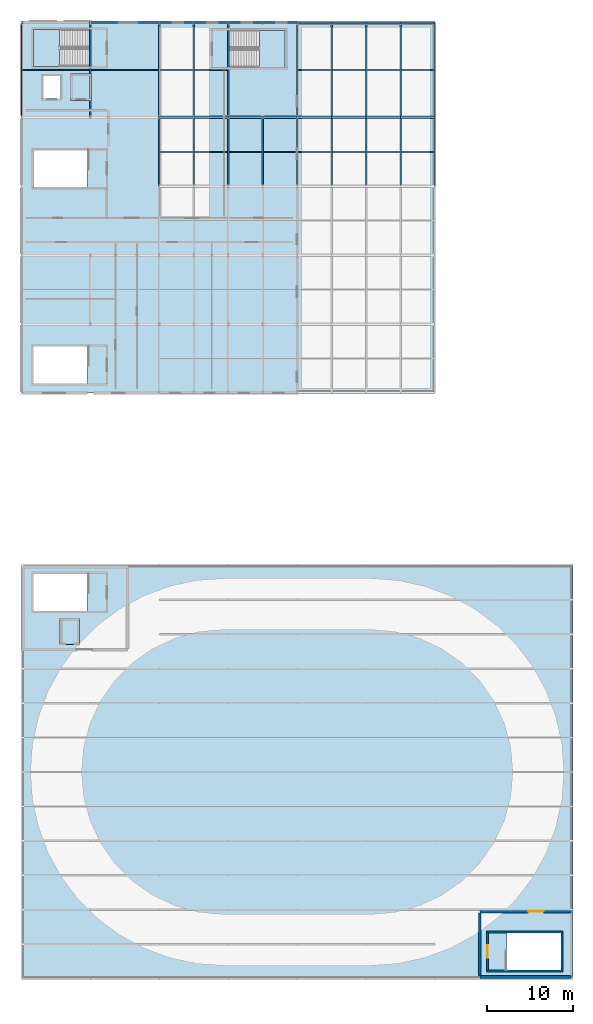
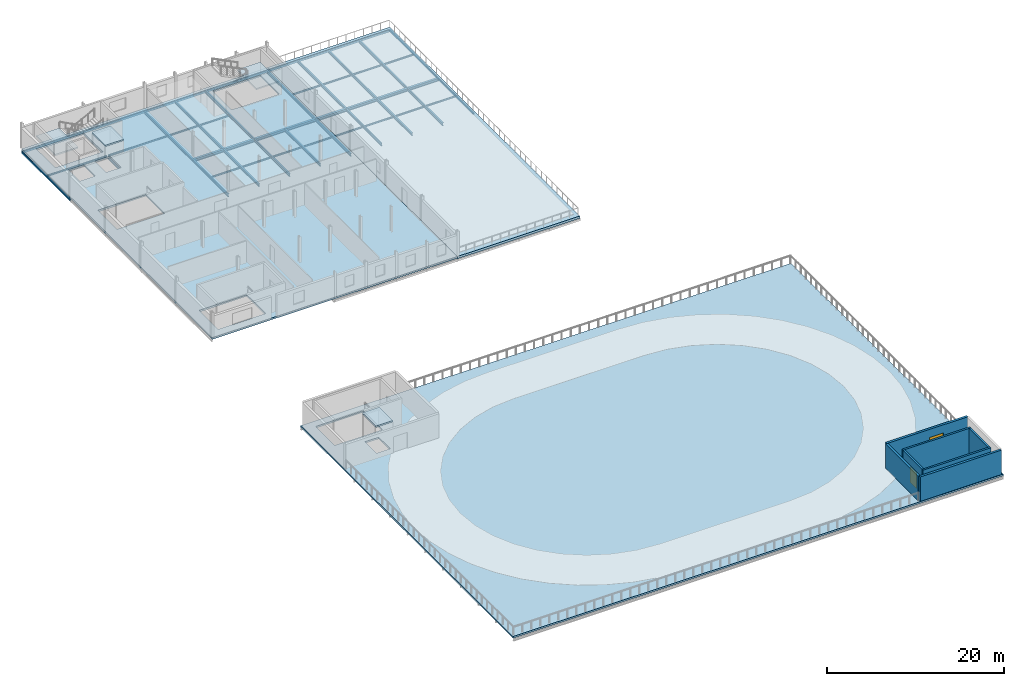
# One storey, part 4 of 11: 53 beams, 7 slabs, 7 walls, 2 doors, 2 openings, 2 elements without a shape of their own.
"""IFC4 building model written with IfcOpenShell, lengths in metres."""

from ifc_helpers import new_model, si_unit, derived_unit, direction, frame, frame_2d, origin, origin_2d, place, context, subcontext, project, spatial, polyline, rectangle, hollow_rectangle, i_section, outline, extrude, material, layer, layer_set, material_profile, profile_set, type_object, element, fill, aggregate, save


model = new_model("IFC4")

# Units and contexts
model_context = context("Model", 3, precision=1e-05, world=origin(), true_north=direction((0.0, 1.0)))
body_context = subcontext(model_context, "Body", "Model", "MODEL_VIEW")
ifc_project = project(units=[si_unit("LENGTHUNIT", "METRE"), si_unit("AREAUNIT", "SQUARE_METRE"), si_unit("VOLUMEUNIT", "CUBIC_METRE"), si_unit("PLANEANGLEUNIT", "RADIAN"), si_unit("MASSUNIT", "GRAM", prefix="KILO"), derived_unit("THERMALTRANSMITTANCEUNIT", [(si_unit("POWERUNIT", "WATT"), 1), (si_unit("LENGTHUNIT", "METRE"), -2), (si_unit("THERMODYNAMICTEMPERATUREUNIT", "KELVIN"), -1)])], contexts=[model_context])

# Site, building, storey
site_placement = place(None, origin())
site = spatial("IfcSite", under=ifc_project, at=site_placement, CompositionType="ELEMENT")
building_placement = place(site_placement, origin())
building = spatial("IfcBuilding", under=site, at=building_placement, Name="Keldorne Ridge Multi-Sports Centre", CompositionType="ELEMENT")
storey_placement = place(building_placement, frame((0.0, 0.0, 18.60009765625)))
storey = spatial("IfcBuildingStorey", under=building, at=storey_placement, Name="L04", CompositionType="ELEMENT", Elevation=18.60009765625)

# Beams
ifc_material_1 = material(Name="Steel S355", Category="steel")
ifc_material_profile_1 = material_profile(ifc_material_1, i_section(OverallWidth=0.179931640625, OverallDepth=0.39990234375, WebThickness=0.008544921875, FlangeThickness=0.013427734375, FilletRadius=0.02099609375, at=origin_2d()), Name="IPE 400")
ifc_profile_set_1 = profile_set([ifc_material_profile_1], Name="Steel S355")
beam_type_1 = type_object("IfcBeamType", Name="BM-B-04", PredefinedType="BEAM", material=ifc_profile_set_1)
beam_1_placement = place(storey_placement, frame((112.0, 106.0, -0.52001953125), z_axis=(0.0, 1.0, 0.0), x_axis=(-1.0, 0.0, 0.0)))
element("IfcBeam", 1, at=beam_1_placement, inside=storey, type_object=beam_type_1, Name="L04 primary girder 112.5", PredefinedType="BEAM", context=body_context, shape_type="SweptSolid", body=[
    extrude(i_section(OverallWidth=0.179931640625, OverallDepth=0.39990234375, WebThickness=0.008544921875, FlangeThickness=0.013427734375, FilletRadius=0.02099609375, at=origin_2d()), origin(), (0.0, 0.0, 1.0), 11.0),
])
beam_2_placement = place(storey_placement, frame((120.0, 98.0, -0.52001953125), z_axis=(0.0, 1.0, 0.0), x_axis=(-1.0, 0.0, 0.0)))
element("IfcBeam", 2, at=beam_2_placement, inside=storey, type_object=beam_type_1, Name="L04 primary girder 120.4", PredefinedType="BEAM", context=body_context, shape_type="SweptSolid", body=[
    extrude(i_section(OverallWidth=0.179931640625, OverallDepth=0.39990234375, WebThickness=0.008544921875, FlangeThickness=0.013427734375, FilletRadius=0.02099609375, at=origin_2d()), origin(), (0.0, 0.0, 1.0), 8.0),
])
beam_3_placement = place(storey_placement, frame((120.0, 106.0, -0.52001953125), z_axis=(0.0, 1.0, 0.0), x_axis=(-1.0, 0.0, 0.0)))
element("IfcBeam", 3, at=beam_3_placement, inside=storey, type_object=beam_type_1, Name="L04 primary girder 120.5", PredefinedType="BEAM", context=body_context, shape_type="SweptSolid", body=[
    extrude(i_section(OverallWidth=0.179931640625, OverallDepth=0.39990234375, WebThickness=0.008544921875, FlangeThickness=0.013427734375, FilletRadius=0.02099609375, at=origin_2d()), origin(), (0.0, 0.0, 1.0), 11.0),
])
beam_4_placement = place(storey_placement, frame((124.0, 98.0, -0.52001953125), z_axis=(0.0, 1.0, 0.0), x_axis=(-1.0, 0.0, 0.0)))
element("IfcBeam", 4, at=beam_4_placement, inside=storey, type_object=beam_type_1, Name="L04 primary girder 124.4", PredefinedType="BEAM", context=body_context, shape_type="SweptSolid", body=[
    extrude(i_section(OverallWidth=0.179931640625, OverallDepth=0.39990234375, WebThickness=0.008544921875, FlangeThickness=0.013427734375, FilletRadius=0.02099609375, at=origin_2d()), origin(), (0.0, 0.0, 1.0), 8.0),
])
beam_5_placement = place(storey_placement, frame((124.0, 106.0, -0.52001953125), z_axis=(0.0, 1.0, 0.0), x_axis=(-1.0, 0.0, 0.0)))
element("IfcBeam", 5, at=beam_5_placement, inside=storey, type_object=beam_type_1, Name="L04 primary girder 124.5", PredefinedType="BEAM", context=body_context, shape_type="SweptSolid", body=[
    extrude(i_section(OverallWidth=0.179931640625, OverallDepth=0.39990234375, WebThickness=0.008544921875, FlangeThickness=0.013427734375, FilletRadius=0.02099609375, at=origin_2d()), origin(), (0.0, 0.0, 1.0), 11.0),
])
beam_6_placement = place(storey_placement, frame((128.0, 98.0, -0.52001953125), z_axis=(0.0, 1.0, 0.0), x_axis=(-1.0, 0.0, 0.0)))
element("IfcBeam", 6, at=beam_6_placement, inside=storey, type_object=beam_type_1, Name="L04 primary girder 128.4", PredefinedType="BEAM", context=body_context, shape_type="SweptSolid", body=[
    extrude(i_section(OverallWidth=0.179931640625, OverallDepth=0.39990234375, WebThickness=0.008544921875, FlangeThickness=0.013427734375, FilletRadius=0.02099609375, at=origin_2d()), origin(), (0.0, 0.0, 1.0), 8.0),
])
beam_7_placement = place(storey_placement, frame((128.0, 106.0, -0.52001953125), z_axis=(0.0, 1.0, 0.0), x_axis=(-1.0, 0.0, 0.0)))
element("IfcBeam", 7, at=beam_7_placement, inside=storey, type_object=beam_type_1, Name="L04 primary girder 128.5", PredefinedType="BEAM", context=body_context, shape_type="SweptSolid", body=[
    extrude(i_section(OverallWidth=0.179931640625, OverallDepth=0.39990234375, WebThickness=0.008544921875, FlangeThickness=0.013427734375, FilletRadius=0.02099609375, at=origin_2d()), origin(), (0.0, 0.0, 1.0), 11.0),
])
for number, where, z_axis, x_axis, name in (
    (8, (132.0, 98.0, -0.52001953125), (0.0, 1.0, 0.0), (-1.0, 0.0, 0.0), "L04 primary girder 132.4"),
    (9, (136.0, 98.0, -0.52001953125), (0.0, 1.0, 0.0), (-1.0, 0.0, 0.0), "L04 primary girder 136.4"),
):
    element("IfcBeam", number, at=place(storey_placement, frame(where, z_axis=z_axis, x_axis=x_axis)), inside=storey, type_object=beam_type_1, Name=name, PredefinedType="BEAM", context=body_context, shape_type="SweptSolid", body=[
        extrude(i_section(OverallWidth=0.179931640625, OverallDepth=0.39990234375, WebThickness=0.008544921875, FlangeThickness=0.013427734375, FilletRadius=0.02099609375, at=origin_2d()), origin(), (0.0, 0.0, 1.0), 8.0),
    ])
beam_8_placement = place(storey_placement, frame((136.0, 106.0, -0.52001953125), z_axis=(0.0, 1.0, 0.0), x_axis=(-1.0, 0.0, 0.0)))
element("IfcBeam", 10, at=beam_8_placement, inside=storey, type_object=beam_type_1, Name="L04 primary girder 136.5", PredefinedType="BEAM", context=body_context, shape_type="SweptSolid", body=[
    extrude(i_section(OverallWidth=0.179931640625, OverallDepth=0.39990234375, WebThickness=0.008544921875, FlangeThickness=0.013427734375, FilletRadius=0.02099609375, at=origin_2d()), origin(), (0.0, 0.0, 1.0), 11.0),
])
beam_9_placement = place(storey_placement, frame((140.0, 98.0, -0.52001953125), z_axis=(0.0, 1.0, 0.0), x_axis=(-1.0, 0.0, 0.0)))
element("IfcBeam", 11, at=beam_9_placement, inside=storey, type_object=beam_type_1, Name="L04 primary girder 140.4", PredefinedType="BEAM", context=body_context, shape_type="SweptSolid", body=[
    extrude(i_section(OverallWidth=0.179931640625, OverallDepth=0.39990234375, WebThickness=0.008544921875, FlangeThickness=0.013427734375, FilletRadius=0.02099609375, at=origin_2d()), origin(), (0.0, 0.0, 1.0), 8.0),
])
beam_10_placement = place(storey_placement, frame((140.0, 106.0, -0.52001953125), z_axis=(0.0, 1.0, 0.0), x_axis=(-1.0, 0.0, 0.0)))
element("IfcBeam", 12, at=beam_10_placement, inside=storey, type_object=beam_type_1, Name="L04 primary girder 140.5", PredefinedType="BEAM", context=body_context, shape_type="SweptSolid", body=[
    extrude(i_section(OverallWidth=0.179931640625, OverallDepth=0.39990234375, WebThickness=0.008544921875, FlangeThickness=0.013427734375, FilletRadius=0.02099609375, at=origin_2d()), origin(), (0.0, 0.0, 1.0), 11.0),
])
beam_11_placement = place(storey_placement, frame((144.0, 98.0, -0.52001953125), z_axis=(0.0, 1.0, 0.0), x_axis=(-1.0, 0.0, 0.0)))
element("IfcBeam", 13, at=beam_11_placement, inside=storey, type_object=beam_type_1, Name="L04 primary girder 144.4", PredefinedType="BEAM", context=body_context, shape_type="SweptSolid", body=[
    extrude(i_section(OverallWidth=0.179931640625, OverallDepth=0.39990234375, WebThickness=0.008544921875, FlangeThickness=0.013427734375, FilletRadius=0.02099609375, at=origin_2d()), origin(), (0.0, 0.0, 1.0), 8.0),
])
beam_12_placement = place(storey_placement, frame((144.0, 106.0, -0.52001953125), z_axis=(0.0, 1.0, 0.0), x_axis=(-1.0, 0.0, 0.0)))
element("IfcBeam", 14, at=beam_12_placement, inside=storey, type_object=beam_type_1, Name="L04 primary girder 144.5", PredefinedType="BEAM", context=body_context, shape_type="SweptSolid", body=[
    extrude(i_section(OverallWidth=0.179931640625, OverallDepth=0.39990234375, WebThickness=0.008544921875, FlangeThickness=0.013427734375, FilletRadius=0.02099609375, at=origin_2d()), origin(), (0.0, 0.0, 1.0), 11.0),
])
beam_13_placement = place(storey_placement, frame((148.0, 98.0, -0.52001953125), z_axis=(0.0, 1.0, 0.0), x_axis=(-1.0, 0.0, 0.0)))
element("IfcBeam", 15, at=beam_13_placement, inside=storey, type_object=beam_type_1, Name="L04 primary girder 148.4", PredefinedType="BEAM", context=body_context, shape_type="SweptSolid", body=[
    extrude(i_section(OverallWidth=0.179931640625, OverallDepth=0.39990234375, WebThickness=0.008544921875, FlangeThickness=0.013427734375, FilletRadius=0.02099609375, at=origin_2d()), origin(), (0.0, 0.0, 1.0), 8.0),
])
beam_14_placement = place(storey_placement, frame((148.0, 106.0, -0.52001953125), z_axis=(0.0, 1.0, 0.0), x_axis=(-1.0, 0.0, 0.0)))
element("IfcBeam", 16, at=beam_14_placement, inside=storey, type_object=beam_type_1, Name="L04 primary girder 148.5", PredefinedType="BEAM", context=body_context, shape_type="SweptSolid", body=[
    extrude(i_section(OverallWidth=0.179931640625, OverallDepth=0.39990234375, WebThickness=0.008544921875, FlangeThickness=0.013427734375, FilletRadius=0.02099609375, at=origin_2d()), origin(), (0.0, 0.0, 1.0), 11.0),
])
ifc_material_profile_2 = material_profile(ifc_material_1, i_section(OverallWidth=0.300048828125, OverallDepth=0.389892578125, WebThickness=0.010986328125, FlangeThickness=0.01904296875, FilletRadius=0.027099609375, at=origin_2d()), Name="HEA 400")
ifc_profile_set_2 = profile_set([ifc_material_profile_2], Name="Steel S355")
beam_type_2 = type_object("IfcBeamType", Name="BM-B-10", PredefinedType="BEAM", material=ifc_profile_set_2)
for number, where, z_axis, x_axis, name in (
    (17, (120.0, 106.0, -0.51513671875), (1.0, 0.0, 0.0), (0.0, 1.0, 0.0), "L04 primary beam 3.106"),
    (18, (124.0, 106.0, -0.51513671875), (1.0, 0.0, 0.0), (0.0, 1.0, 0.0), "L04 primary beam 4.106"),
    (19, (128.0, 106.0, -0.51513671875), (1.0, 0.0, 0.0), (0.0, 1.0, 0.0), "L04 primary beam 5.106"),
    (20, (132.0, 106.0, -0.51513671875), (1.0, 0.0, 0.0), (0.0, 1.0, 0.0), "L04 primary beam 6.106"),
    (21, (136.0, 106.0, -0.51513671875), (1.0, 0.0, 0.0), (0.0, 1.0, 0.0), "L04 primary beam 7.106"),
    (22, (140.0, 106.0, -0.51513671875), (1.0, 0.0, 0.0), (0.0, 1.0, 0.0), "L04 primary beam 8.106"),
    (23, (144.0, 106.0, -0.51513671875), (1.0, 0.0, 0.0), (0.0, 1.0, 0.0), "L04 primary beam 9.106"),
    (24, (148.0, 106.0, -0.51513671875), (1.0, 0.0, 0.0), (0.0, 1.0, 0.0), "L04 primary beam 10.106"),
):
    element("IfcBeam", number, at=place(storey_placement, frame(where, z_axis=z_axis, x_axis=x_axis)), inside=storey, type_object=beam_type_2, Name=name, PredefinedType="BEAM", context=body_context, shape_type="SweptSolid", body=[
        extrude(i_section(OverallWidth=0.300048828125, OverallDepth=0.389892578125, WebThickness=0.010986328125, FlangeThickness=0.01904296875, FilletRadius=0.027099609375, at=origin_2d()), origin(), (0.0, 0.0, 1.0), 4.0),
    ])
ifc_material_profile_3 = material_profile(ifc_material_1, i_section(OverallWidth=0.1201171875, OverallDepth=0.239990234375, WebThickness=0.006103515625, FlangeThickness=0.009765625, FilletRadius=0.014892578125, at=origin_2d()), Name="IPE 240")
ifc_profile_set_3 = profile_set([ifc_material_profile_3], Name="Steel S355")
beam_type_3 = type_object("IfcBeamType", Name="BM-J-04", PredefinedType="JOIST", material=ifc_profile_set_3)
beam_15_placement = place(storey_placement, frame((104.074951171875, 111.5, -0.440185546875), z_axis=(1.0, 0.0, 0.0), x_axis=(0.0, 1.0, 0.0)))
element("IfcBeam", 25, at=beam_15_placement, inside=storey, type_object=beam_type_3, Name="L04 secondary joist 1.5", PredefinedType="JOIST", context=body_context, shape_type="SweptSolid", body=[
    extrude(i_section(OverallWidth=0.1201171875, OverallDepth=0.239990234375, WebThickness=0.006103515625, FlangeThickness=0.009765625, FilletRadius=0.014892578125, at=origin_2d()), origin(), (0.0, 0.0, 1.0), 7.8349609375),
])
beam_16_placement = place(storey_placement, frame((112.090087890625, 111.5, -0.440185546875), z_axis=(1.0, 0.0, 0.0), x_axis=(0.0, 1.0, 0.0)))
element("IfcBeam", 26, at=beam_16_placement, inside=storey, type_object=beam_type_3, Name="L04 secondary joist 2.5", PredefinedType="JOIST", context=body_context, shape_type="SweptSolid", body=[
    extrude(i_section(OverallWidth=0.1201171875, OverallDepth=0.239990234375, WebThickness=0.006103515625, FlangeThickness=0.009765625, FilletRadius=0.014892578125, at=origin_2d()), origin(), (0.0, 0.0, 1.0), 7.81982421875),
])
for number, where, z_axis, x_axis, name in (
    (27, (120.090087890625, 102.0, -0.440185546875), (1.0, 0.0, 0.0), (0.0, 1.0, 0.0), "L04 secondary joist 3.4"),
    (28, (120.090087890625, 111.5, -0.440185546875), (1.0, 0.0, 0.0), (0.0, 1.0, 0.0), "L04 secondary joist 3.5"),
    (29, (124.090087890625, 102.0, -0.440185546875), (1.0, 0.0, 0.0), (0.0, 1.0, 0.0), "L04 secondary joist 4.4"),
    (30, (124.090087890625, 111.5, -0.440185546875), (1.0, 0.0, 0.0), (0.0, 1.0, 0.0), "L04 secondary joist 4.5"),
    (31, (128.090087890625, 102.0, -0.440185546875), (1.0, 0.0, 0.0), (0.0, 1.0, 0.0), "L04 secondary joist 5.4"),
    (32, (132.090087890625, 102.0, -0.440185546875), (1.0, 0.0, 0.0), (0.0, 1.0, 0.0), "L04 secondary joist 6.4"),
    (33, (136.090087890625, 102.0, -0.440185546875), (1.0, 0.0, 0.0), (0.0, 1.0, 0.0), "L04 secondary joist 7.4"),
    (34, (136.090087890625, 111.5, -0.440185546875), (1.0, 0.0, 0.0), (0.0, 1.0, 0.0), "L04 secondary joist 7.5"),
    (35, (140.090087890625, 102.0, -0.440185546875), (1.0, 0.0, 0.0), (0.0, 1.0, 0.0), "L04 secondary joist 8.4"),
    (36, (140.090087890625, 111.5, -0.440185546875), (1.0, 0.0, 0.0), (0.0, 1.0, 0.0), "L04 secondary joist 8.5"),
    (37, (144.090087890625, 102.0, -0.440185546875), (1.0, 0.0, 0.0), (0.0, 1.0, 0.0), "L04 secondary joist 9.4"),
    (38, (144.090087890625, 111.5, -0.440185546875), (1.0, 0.0, 0.0), (0.0, 1.0, 0.0), "L04 secondary joist 9.5"),
):
    element("IfcBeam", number, at=place(storey_placement, frame(where, z_axis=z_axis, x_axis=x_axis)), inside=storey, type_object=beam_type_3, Name=name, PredefinedType="JOIST", context=body_context, shape_type="SweptSolid", body=[
        extrude(i_section(OverallWidth=0.1201171875, OverallDepth=0.239990234375, WebThickness=0.006103515625, FlangeThickness=0.009765625, FilletRadius=0.014892578125, at=origin_2d()), origin(), (0.0, 0.0, 1.0), 3.81982421875),
    ])
for number, where, z_axis, x_axis, name in (
    (39, (148.090087890625, 102.0, -0.440185546875), (1.0, 0.0, 0.0), (0.0, 1.0, 0.0), "L04 secondary joist 10.4"),
    (40, (148.090087890625, 111.5, -0.440185546875), (1.0, 0.0, 0.0), (0.0, 1.0, 0.0), "L04 secondary joist 10.5"),
):
    element("IfcBeam", number, at=place(storey_placement, frame(where, z_axis=z_axis, x_axis=x_axis)), inside=storey, type_object=beam_type_3, Name=name, PredefinedType="JOIST", context=body_context, shape_type="SweptSolid", body=[
        extrude(i_section(OverallWidth=0.1201171875, OverallDepth=0.239990234375, WebThickness=0.006103515625, FlangeThickness=0.009765625, FilletRadius=0.014892578125, at=origin_2d()), origin(), (0.0, 0.0, 1.0), 3.8349609375),
    ])
ifc_material_profile_4 = material_profile(ifc_material_1, hollow_rectangle(XDim=0.199951171875, YDim=0.300048828125, WallThickness=0.012451171875, InnerFilletRadius=0.012451171875, OuterFilletRadius=0.02490234375, at=origin_2d()), Name="RHS 300x200x12.5")
ifc_profile_set_4 = profile_set([ifc_material_profile_4], Name="Steel S355")
beam_type_4 = type_object("IfcBeamType", Name="BM-SP-01", PredefinedType="SPANDREL", material=ifc_profile_set_4)
for number, where, z_axis, x_axis, name in (
    (41, (104.0, 117.0, -0.47021484375), (1.0, 0.0, 0.0), (0.0, 1.0, 0.0), "L04 primary beam 1.117"),
    (42, (112.0, 117.0, -0.47021484375), (1.0, 0.0, 0.0), (0.0, 1.0, 0.0), "L04 primary beam 2.117"),
):
    element("IfcBeam", number, at=place(storey_placement, frame(where, z_axis=z_axis, x_axis=x_axis)), inside=storey, type_object=beam_type_4, Name=name, PredefinedType="SPANDREL", context=body_context, shape_type="SweptSolid", body=[
        extrude(hollow_rectangle(XDim=0.199951171875, YDim=0.300048828125, WallThickness=0.012451171875, InnerFilletRadius=0.012451171875, OuterFilletRadius=0.02490234375, at=origin_2d()), origin(), (0.0, 0.0, 1.0), 8.0),
    ])
for number, where, z_axis, x_axis, name in (
    (43, (120.0, 117.0, -0.47021484375), (1.0, 0.0, 0.0), (0.0, 1.0, 0.0), "L04 primary beam 3.117"),
    (44, (124.0, 117.0, -0.47021484375), (1.0, 0.0, 0.0), (0.0, 1.0, 0.0), "L04 primary beam 4.117"),
    (45, (128.0, 117.0, -0.47021484375), (1.0, 0.0, 0.0), (0.0, 1.0, 0.0), "L04 primary beam 5.117"),
    (46, (132.0, 117.0, -0.47021484375), (1.0, 0.0, 0.0), (0.0, 1.0, 0.0), "L04 primary beam 6.117"),
    (47, (136.0, 117.0, -0.47021484375), (1.0, 0.0, 0.0), (0.0, 1.0, 0.0), "L04 primary beam 7.117"),
    (48, (140.0, 117.0, -0.47021484375), (1.0, 0.0, 0.0), (0.0, 1.0, 0.0), "L04 primary beam 8.117"),
    (49, (144.0, 117.0, -0.47021484375), (1.0, 0.0, 0.0), (0.0, 1.0, 0.0), "L04 primary beam 9.117"),
    (50, (148.0, 117.0, -0.47021484375), (1.0, 0.0, 0.0), (0.0, 1.0, 0.0), "L04 primary beam 10.117"),
):
    element("IfcBeam", number, at=place(storey_placement, frame(where, z_axis=z_axis, x_axis=x_axis)), inside=storey, type_object=beam_type_4, Name=name, PredefinedType="SPANDREL", context=body_context, shape_type="SweptSolid", body=[
        extrude(hollow_rectangle(XDim=0.199951171875, YDim=0.300048828125, WallThickness=0.012451171875, InnerFilletRadius=0.012451171875, OuterFilletRadius=0.02490234375, at=origin_2d()), origin(), (0.0, 0.0, 1.0), 4.0),
    ])
ifc_material_profile_5 = material_profile(ifc_material_1, hollow_rectangle(XDim=0.14990234375, YDim=0.25, WallThickness=0.010009765625, InnerFilletRadius=0.010009765625, OuterFilletRadius=0.02001953125, at=origin_2d()), Name="RHS 250x150x10")
ifc_profile_set_5 = profile_set([ifc_material_profile_5], Name="Steel S355")
beam_type_5 = type_object("IfcBeamType", Name="BM-SP-02", PredefinedType="SPANDREL", material=ifc_profile_set_5)
beam_17_placement = place(storey_placement, frame((104.0, 106.0, -0.445068359375), z_axis=(0.0, 1.0, 0.0), x_axis=(-1.0, 0.0, 0.0)))
element("IfcBeam", 51, at=beam_17_placement, inside=storey, type_object=beam_type_5, Name="L04 primary girder 104.5", PredefinedType="SPANDREL", context=body_context, shape_type="SweptSolid", body=[
    extrude(hollow_rectangle(XDim=0.14990234375, YDim=0.25, WallThickness=0.010009765625, InnerFilletRadius=0.010009765625, OuterFilletRadius=0.02001953125, at=origin_2d()), origin(), (0.0, 0.0, 1.0), 11.0),
])
beam_18_placement = place(storey_placement, frame((152.0, 98.0, -0.445068359375), z_axis=(0.0, 1.0, 0.0), x_axis=(-1.0, 0.0, 0.0)))
element("IfcBeam", 52, at=beam_18_placement, inside=storey, type_object=beam_type_5, Name="L04 primary girder 152.4", PredefinedType="SPANDREL", context=body_context, shape_type="SweptSolid", body=[
    extrude(hollow_rectangle(XDim=0.14990234375, YDim=0.25, WallThickness=0.010009765625, InnerFilletRadius=0.010009765625, OuterFilletRadius=0.02001953125, at=origin_2d()), origin(), (0.0, 0.0, 1.0), 8.0),
])
beam_19_placement = place(storey_placement, frame((152.0, 106.0, -0.445068359375), z_axis=(0.0, 1.0, 0.0), x_axis=(-1.0, 0.0, 0.0)))
element("IfcBeam", 53, at=beam_19_placement, inside=storey, type_object=beam_type_5, Name="L04 primary girder 152.5", PredefinedType="SPANDREL", context=body_context, shape_type="SweptSolid", body=[
    extrude(hollow_rectangle(XDim=0.14990234375, YDim=0.25, WallThickness=0.010009765625, InnerFilletRadius=0.010009765625, OuterFilletRadius=0.02001953125, at=origin_2d()), origin(), (0.0, 0.0, 1.0), 11.0),
])

# Stair, slab
ifc_material_2 = material(Name="Concrete C35/45", Category="concrete")
stair_type = type_object("IfcStairType", Name="STR-S01", PredefinedType="HALF_TURN_STAIR", material=ifc_material_2)
stair_1_placement = place(storey_placement, origin())
stair_1 = element("IfcStair", 54, at=stair_1_placement, inside=storey, type_object=stair_type, Name="L04 North-East Primary Clinical Core C1", PredefinedType="HALF_TURN_STAIR")
ifc_layer_1 = layer(ifc_material_2, 0.199951171875)
ifc_layer_set_1 = layer_set([ifc_layer_1], Name="Concrete C35/45")
slab_type_1 = type_object("IfcSlabType", Name="SLB-LDG-01", PredefinedType="LANDING", material=ifc_layer_set_1)
slab_1_placement = place(storey_placement, frame((0.0, 0.0, 1.599853515625)))
slab_1 = element("IfcSlab", 55, at=slab_1_placement, type_object=slab_type_1, Name="ST-01 landing 1", PredefinedType="LANDING", context=body_context, shape_type="SweptSolid", body=[
    extrude(outline(polyline([(108.39990234375, 116.199951171875), (105.39990234375, 116.199951171875), (105.39990234375, 111.89990234375), (108.39990234375, 111.89990234375), (108.39990234375, 116.199951171875)])), origin(), (0.0, 0.0, 1.0), 0.199951171875),
])
aggregate(stair_1, [slab_1])

stair_2_placement = place(storey_placement, origin())
stair_2 = element("IfcStair", 56, at=stair_2_placement, inside=storey, type_object=stair_type, Name="L04 Upper Studio Escape Stair ST-10", PredefinedType="HALF_TURN_STAIR")
slab_2_placement = place(storey_placement, frame((0.0, 0.0, 1.599853515625)))
slab_2 = element("IfcSlab", 57, at=slab_2_placement, type_object=slab_type_1, Name="ST-10 landing 1", PredefinedType="LANDING", context=body_context, shape_type="SweptSolid", body=[
    extrude(outline(polyline([(131.60009765625, 111.800048828125), (134.60009765625, 111.800048828125), (134.60009765625, 116.10009765625), (131.60009765625, 116.10009765625), (131.60009765625, 111.800048828125)])), origin(), (0.0, 0.0, 1.0), 0.199951171875),
])
aggregate(stair_2, [slab_2])

# Slabs
ifc_layer_2 = layer(ifc_material_2, 0.239990234375)
ifc_layer_set_2 = layer_set([ifc_layer_2], Name="Concrete C35/45")
slab_type_2 = type_object("IfcSlabType", Name="SLB-SL-F03", PredefinedType="FLOOR", material=ifc_layer_set_2)
slab_3_placement = place(storey_placement, frame((0.0, 0.0, -0.239990234375)))
element("IfcSlab", 58, at=slab_3_placement, inside=storey, type_object=slab_type_2, Name="Fourth floor Indoor Warm-Up and Spin slab", PredefinedType="FLOOR", context=body_context, shape_type="SweptSolid", body=[
    extrude(outline(polyline([(104.0, 74.0), (136.0, 74.0), (136.0, 117.0), (104.0, 117.0), (104.0, 74.0)]), holes=[polyline([(105.39990234375, 111.89990234375), (105.39990234375, 116.199951171875), (111.6201171875, 116.199951171875), (111.6201171875, 111.89990234375), (105.39990234375, 111.89990234375)]), polyline([(105.39990234375, 75.10009765625), (105.39990234375, 79.39990234375), (111.6201171875, 79.39990234375), (111.6201171875, 75.10009765625), (105.39990234375, 75.10009765625)]), polyline([(128.3798828125, 111.800048828125), (128.3798828125, 116.10009765625), (134.60009765625, 116.10009765625), (134.60009765625, 111.800048828125), (128.3798828125, 111.800048828125)]), polyline([(105.39990234375, 97.89990234375), (105.39990234375, 102.199951171875), (111.6201171875, 102.199951171875), (111.6201171875, 97.89990234375), (105.39990234375, 97.89990234375)]), polyline([(106.5, 108.199951171875), (106.5, 110.800048828125), (108.5, 110.800048828125), (108.5, 108.199951171875), (106.5, 108.199951171875)]), polyline([(109.89990234375, 108.199951171875), (109.89990234375, 110.800048828125), (111.89990234375, 110.800048828125), (111.89990234375, 108.199951171875), (109.89990234375, 108.199951171875)])]), origin(), (0.0, 0.0, 1.0), 0.239990234375),
])
ifc_layer_3 = layer(ifc_material_2, 0.18994140625)
ifc_layer_set_3 = layer_set([ifc_layer_3], Name="Concrete C35/45")
slab_type_3 = type_object("IfcSlabType", Name="SLB-SL-F04", PredefinedType="FLOOR", material=ifc_layer_set_3)
slab_4_placement = place(storey_placement, frame((0.0, 0.0, 3.75)))
element("IfcSlab", 59, at=slab_4_placement, inside=storey, type_object=slab_type_3, Name="Lift L-02 overrun shaft cap", PredefinedType="FLOOR", context=body_context, shape_type="SweptSolid", body=[
    extrude(outline(polyline([(109.679931640625, 107.97998046875), (112.1201171875, 107.97998046875), (112.1201171875, 111.02001953125), (109.679931640625, 111.02001953125), (109.679931640625, 107.97998046875)])), origin(), (0.0, 0.0, 1.0), 0.199951171875),
])
slab_5_placement = place(storey_placement, frame((0.0, 0.0, 3.75)))
element("IfcSlab", 60, at=slab_5_placement, inside=storey, type_object=slab_type_3, Name="Lift L-03 overrun shaft cap", PredefinedType="FLOOR", context=body_context, shape_type="SweptSolid", body=[
    extrude(outline(polyline([(108.47998046875, 44.780029296875), (110.719970703125, 44.780029296875), (110.719970703125, 47.820068359375), (108.47998046875, 47.820068359375), (108.47998046875, 44.780029296875)])), origin(), (0.0, 0.0, 1.0), 0.199951171875),
])
ifc_layer_4 = layer(ifc_material_2, 0.22998046875)
ifc_layer_set_4 = layer_set([ifc_layer_4], Name="Concrete C35/45")
slab_type_4 = type_object("IfcSlabType", Name="SLB-SL-R01", PredefinedType="ROOF", material=ifc_layer_set_4)
slab_6_placement = place(storey_placement, frame((0.0, 0.0, -0.22998046875)))
element("IfcSlab", 61, at=slab_6_placement, inside=storey, type_object=slab_type_4, Name="Fourth floor Stacked Courts track roof deck", PredefinedType="ROOF", context=body_context, shape_type="SweptSolid", body=[
    extrude(outline(polyline([(104.0, 6.0), (168.0, 6.0), (168.0, 54.0), (104.0, 54.0), (104.0, 6.0)]), holes=[polyline([(105.39990234375, 48.699951171875), (105.39990234375, 53.0), (111.6201171875, 53.0), (111.6201171875, 48.699951171875), (105.39990234375, 48.699951171875)]), polyline([(160.3798828125, 7.0), (160.3798828125, 11.300048828125), (166.60009765625, 11.300048828125), (166.60009765625, 7.0), (160.3798828125, 7.0)]), polyline([(108.699951171875, 45.0), (108.699951171875, 47.60009765625), (110.5, 47.60009765625), (110.5, 45.0), (108.699951171875, 45.0)])]), origin(), (0.0, 0.0, 1.0), 0.22998046875),
])
ifc_layer_5 = layer(ifc_material_2, 0.320068359375)
ifc_layer_set_5 = layer_set([ifc_layer_5], Name="Concrete C35/45")
slab_type_5 = type_object("IfcSlabType", Name="SLB-SL-T03", PredefinedType="FLOOR", material=ifc_layer_set_5)
slab_7_placement = place(storey_placement, frame((0.0, 0.0, -0.320068359375)))
element("IfcSlab", 62, at=slab_7_placement, inside=storey, type_object=slab_type_5, Name="Fourth floor Stepped East Roof Garden slab", PredefinedType="FLOOR", context=body_context, shape_type="SweptSolid", body=[
    extrude(outline(polyline([(136.0, 74.0), (152.0, 74.0), (152.0, 117.0), (136.0, 117.0), (136.0, 74.0)])), origin(), (0.0, 0.0, 1.0), 0.320068359375),
])

# Wall
ifc_material_3 = material(Name="Precast concrete C40/50", Category="concrete")
ifc_layer_6 = layer(ifc_material_3, 0.300048828125)
ifc_layer_set_6 = layer_set([ifc_layer_6], Name="Precast concrete C40/50")
wall_type_1 = type_object("IfcWallType", Name="WAL-PR-W4", PredefinedType="STANDARD", material=ifc_layer_set_6)
wall_1_placement = place(storey_placement, frame((157.199951171875, 6.199951171875, 0.0), z_axis=(0.0, 0.0, 1.0), x_axis=(1.0, 0.0, 0.0)))
element("IfcWall", 63, at=wall_1_placement, inside=storey, type_object=wall_type_1, Name="Track headhouse C5 south wall", PredefinedType="STANDARD", context=body_context, shape_type="SweptSolid", body=[
    extrude(rectangle(XDim=10.60009765625, YDim=0.300048828125, at=frame_2d((5.300048828125, 0.0))), origin(), (0.0, 0.0, 1.0), 3.35986328125),
])

# Wall, opening, door
wall_2_placement = place(storey_placement, frame((167.800048828125, 13.800048828125, 0.0), z_axis=(0.0, 0.0, 1.0), x_axis=(-1.0, 0.0, 0.0)))
wall_2 = element("IfcWall", 64, at=wall_2_placement, inside=storey, type_object=wall_type_1, Name="Track headhouse C5 north wall", PredefinedType="STANDARD", context=body_context, shape_type="SweptSolid", body=[
    extrude(rectangle(XDim=10.60009765625, YDim=0.300048828125, at=frame_2d((5.300048828125, 0.0))), origin(), (0.0, 0.0, 1.0), 3.35986328125),
])
opening_1_placement = place(wall_2_placement, frame((3.199951171875, 0.0, 0.0)))
opening_1 = element("IfcOpeningElement", 65, at=opening_1_placement, cuts=wall_2, Name="Opening ED-05", PredefinedType="OPENING", context=body_context, shape_type="SweptSolid", body=[
    extrude(rectangle(XDim=1.800048828125, YDim=2.25, at=frame_2d((0.89990234375, 1.125))), frame((0.0, 0.16015625, 0.0), z_axis=(0.0, -1.0, 0.0), x_axis=(1.0, 0.0, 0.0)), (0.0, 0.0, 1.0), 0.320068359375),
])
ifc_material_4 = material(Name="Galvanized steel", Category="steel")
door_type_1 = type_object("IfcDoorType", Name="DR-ED-05", OperationType="NOTDEFINED", PredefinedType="DOOR", material=ifc_material_4)
door_1_placement = place(opening_1_placement, origin())
door_1 = element("IfcDoor", 66, at=door_1_placement, inside=storey, type_object=door_type_1, Name="Rooftop Running Track access door C5", OperationType="DOUBLE_DOOR_SINGLE_SWING", OverallHeight=2.25, OverallWidth=1.800048828125, PredefinedType="DOOR", context=body_context, shape_type="SweptSolid", body=[
    extrude(rectangle(XDim=1.800048828125, YDim=2.25, at=frame_2d((0.89990234375, 1.125))), frame((0.0, 0.02490234375, 0.0), z_axis=(0.0, -1.0, 0.0), x_axis=(1.0, 0.0, 0.0)), (0.0, 0.0, 1.0), 0.050048828125),
])
fill(opening_1, door_1)

# Wall
wall_3_placement = place(storey_placement, frame((157.199951171875, 13.64794921875, 0.0), z_axis=(0.0, 0.0, 1.0), x_axis=(0.0, -1.0, 0.0)))
element("IfcWall", 67, at=wall_3_placement, inside=storey, type_object=wall_type_1, Name="Track headhouse C5 west wall", PredefinedType="STANDARD", context=body_context, shape_type="SweptSolid", body=[
    extrude(rectangle(XDim=7.2958984375, YDim=0.300048828125, at=frame_2d((3.64794921875, 0.0))), origin(), (0.0, 0.0, 1.0), 3.35986328125),
])

# Wall, opening, door
ifc_material_5 = material(Name="Concrete C40/50", Category="concrete")
ifc_layer_7 = layer(ifc_material_5, 0.25)
ifc_layer_set_7 = layer_set([ifc_layer_7], Name="Concrete C40/50")
wall_type_2 = type_object("IfcWallType", Name="WAL-SW01", PredefinedType="SHEAR", material=ifc_layer_set_7)
wall_4_placement = place(storey_placement, frame((158.074951171875, 7.0, 0.0), z_axis=(0.0, 0.0, 1.0), x_axis=(0.0, 1.0, 0.0)))
wall_4 = element("IfcWall", 68, at=wall_4_placement, inside=storey, type_object=wall_type_2, Name="Stair ST-05 shaft wall L04 NEAR", PredefinedType="SHEAR", context=body_context, shape_type="SweptSolid", body=[
    extrude(rectangle(XDim=4.300048828125, YDim=0.25, at=frame_2d((2.14990234375, 0.0))), origin(), (0.0, 0.0, 1.0), 3.599853515625),
])
opening_2_placement = place(wall_4_placement, frame((1.425048828125, 0.0, 0.0)))
opening_2 = element("IfcOpeningElement", 69, at=opening_2_placement, cuts=wall_4, Name="Opening D-05", PredefinedType="OPENING", context=body_context, shape_type="SweptSolid", body=[
    extrude(rectangle(XDim=1.449951171875, YDim=2.199951171875, at=frame_2d((0.72509765625, 1.10009765625))), frame((0.0, 0.135009765625, 0.0), z_axis=(0.0, -1.0, 0.0), x_axis=(1.0, 0.0, 0.0)), (0.0, 0.0, 1.0), 0.27001953125),
])
ifc_material_6 = material(Name="Steel fire-resisting pair", Category="steel")
door_type_2 = type_object("IfcDoorType", Name="DR-D-05", OperationType="NOTDEFINED", PredefinedType="DOOR", material=ifc_material_6)
door_2_placement = place(opening_2_placement, origin())
door_2 = element("IfcDoor", 70, at=door_2_placement, inside=storey, type_object=door_type_2, Name="Stair ST-05 L04 fire door D-028", OperationType="DOUBLE_DOOR_SINGLE_SWING", OverallHeight=2.199951171875, OverallWidth=1.449951171875, PredefinedType="DOOR", context=body_context, shape_type="SweptSolid", body=[
    extrude(rectangle(XDim=1.449951171875, YDim=2.199951171875, at=frame_2d((0.72509765625, 1.10009765625))), frame((0.0, 0.02490234375, 0.0), z_axis=(0.0, -1.0, 0.0), x_axis=(1.0, 0.0, 0.0)), (0.0, 0.0, 1.0), 0.050048828125),
])
fill(opening_2, door_2)

# Walls
wall_5_placement = place(storey_placement, frame((166.72509765625, 11.300048828125, 0.0), z_axis=(0.0, 0.0, 1.0), x_axis=(0.0, -1.0, 0.0)))
element("IfcWall", 71, at=wall_5_placement, inside=storey, type_object=wall_type_2, Name="Stair ST-05 shaft wall L04 FAR", PredefinedType="SHEAR", context=body_context, shape_type="SweptSolid", body=[
    extrude(rectangle(XDim=4.300048828125, YDim=0.25, at=frame_2d((2.14990234375, 0.0))), origin(), (0.0, 0.0, 1.0), 3.599853515625),
])
for number, where, z_axis, x_axis, name in (
    (72, (157.949951171875, 6.875, 0.0), (0.0, 0.0, 1.0), (1.0, 0.0, 0.0), "Stair ST-05 shaft wall L04 SOUTH"),
    (73, (166.85009765625, 11.425048828125, 0.0), (0.0, 0.0, 1.0), (-1.0, 0.0, 0.0), "Stair ST-05 shaft wall L04 NORTH"),
):
    element("IfcWall", number, at=place(storey_placement, frame(where, z_axis=z_axis, x_axis=x_axis)), inside=storey, type_object=wall_type_2, Name=name, PredefinedType="SHEAR", context=body_context, shape_type="SweptSolid", body=[
        extrude(rectangle(XDim=8.900146484375, YDim=0.25, at=frame_2d((4.4501953125, 0.0))), origin(), (0.0, 0.0, 1.0), 3.599853515625),
    ])

save(model, "model.ifc")
